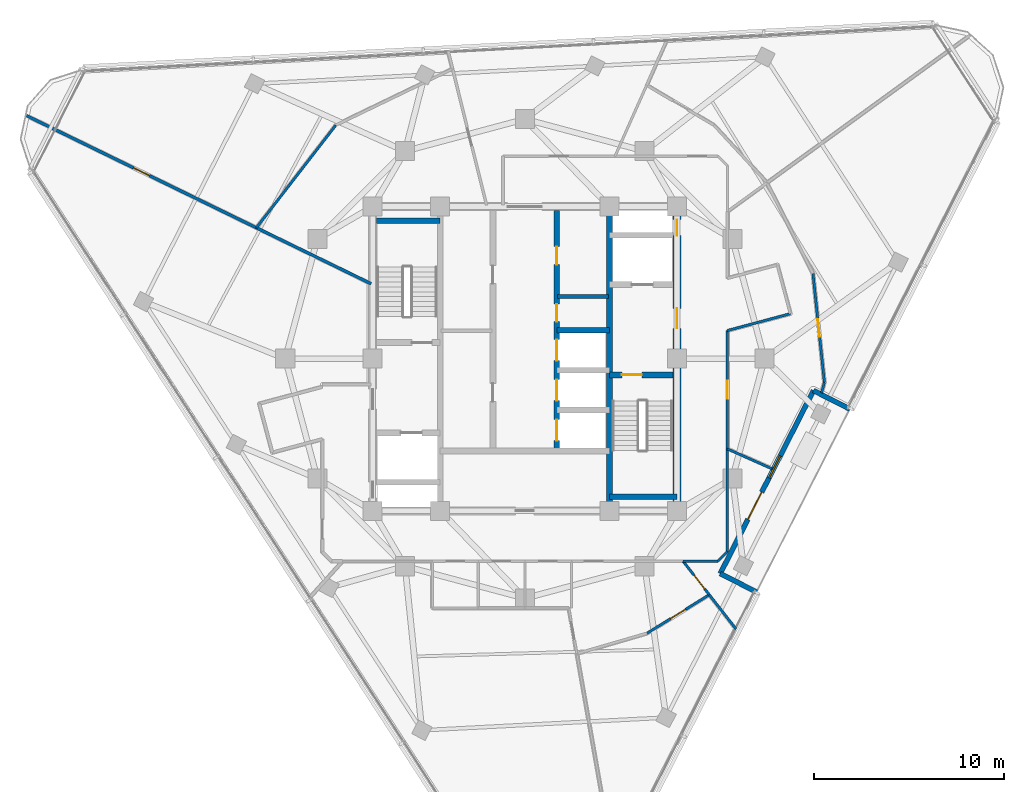
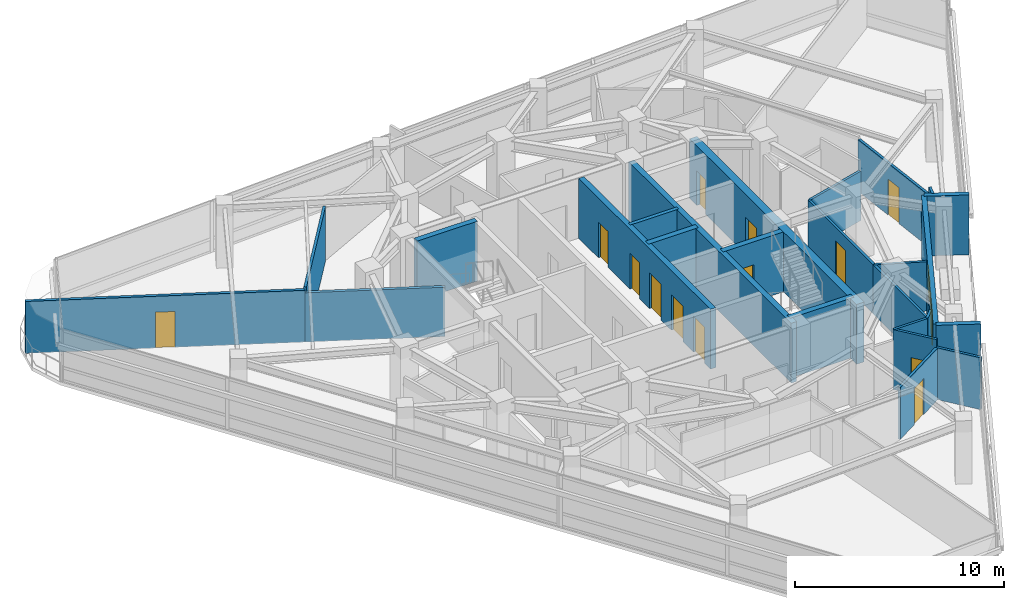
# One storey, part 9 of 15: 25 walls, 14 doors, 1 window, 15 openings.
"""IFC4 building model written with IfcOpenShell, lengths in metres."""

from ifc_helpers import new_model, si_unit, direction, frame, frame_2d, origin, place, context, subcontext, project, spatial, rectangle, extrude, material, layer, layer_set, type_object, element, fill, save


model = new_model("IFC4")

# Units and contexts
model_context = context("Model", 3, precision=1e-05, world=origin(), true_north=direction((0.0, 1.0)))
body_context = subcontext(model_context, "Body", "Model", "MODEL_VIEW")
ifc_project = project(units=[si_unit("LENGTHUNIT", "METRE"), si_unit("AREAUNIT", "SQUARE_METRE"), si_unit("VOLUMEUNIT", "CUBIC_METRE"), si_unit("PLANEANGLEUNIT", "RADIAN"), si_unit("MASSUNIT", "GRAM", prefix="KILO")], contexts=[model_context])

# Site, building, storey
site_placement = place(None, origin())
site = spatial("IfcSite", under=ifc_project, at=site_placement, CompositionType="ELEMENT")
building_placement = place(site_placement, origin())
building = spatial("IfcBuilding", under=site, at=building_placement, Name="Terralouvre Media Tower", CompositionType="ELEMENT")
storey_placement = place(building_placement, frame((0.0, 0.0, 252.199951171875)))
storey = spatial("IfcBuildingStorey", under=building, at=storey_placement, Name="L65", CompositionType="ELEMENT", Elevation=252.199951171875)

# Walls
ifc_material_1 = material(Name="Concrete C50/60", Category="concrete")
ifc_layer_1 = layer(ifc_material_1, 0.300048828125, Name="Core Internal Shaft Wall CW-300")
ifc_layer_set_1 = layer_set([ifc_layer_1], Name="Concrete C50/60")
wall_type_1 = type_object("IfcWallType", Name="Core Internal Shaft Wall CW-300", PredefinedType="SHEAR", material=ifc_layer_set_1)
wall_1_placement = place(storey_placement, frame((4.449951171875, -7.7900390625, 0.0), z_axis=(0.0, 0.0, 1.0), x_axis=(0.0, 1.0, 0.0)))
element("IfcWall", 1, at=wall_1_placement, inside=storey, type_object=wall_type_1, Name="L65 Core Shaft Wall SPE", PredefinedType="SHEAR", context=body_context, shape_type="SweptSolid", body=[
    extrude(rectangle(XDim=15.580078125, YDim=0.300048828125, at=frame_2d((7.7900390625, 0.0))), origin(), (0.0, 0.0, 1.0), 3.5),
])
wall_2_placement = place(storey_placement, frame((-7.7900390625, 7.260009765625, 0.0), z_axis=(0.0, 0.0, 1.0), x_axis=(1.0, 0.0, 0.0)))
element("IfcWall", 2, at=wall_2_placement, inside=storey, type_object=wall_type_1, Name="L65 Core Shaft Wall ST1F", PredefinedType="SHEAR", context=body_context, shape_type="SweptSolid", body=[
    extrude(rectangle(XDim=3.340087890625, YDim=0.300048828125, at=frame_2d((1.669921875, 0.0))), origin(), (0.0, 0.0, 1.0), 3.5),
])

# Wall, opening, door
wall_3_placement = place(storey_placement, frame((4.449951171875, -0.85009765625, 0.0), z_axis=(0.0, 0.0, 1.0), x_axis=(1.0, 0.0, 0.0)))
wall_3 = element("IfcWall", 3, at=wall_3_placement, inside=storey, type_object=wall_type_1, Name="L65 Core Shaft Wall ST2D", PredefinedType="SHEAR", context=body_context, shape_type="SweptSolid", body=[
    extrude(rectangle(XDim=3.340087890625, YDim=0.300048828125, at=frame_2d((1.669921875, 0.0))), origin(), (0.0, 0.0, 1.0), 3.5),
])
opening_1_placement = place(wall_3_placement, frame((0.64990234375, 0.0, 0.0)))
opening_1 = element("IfcOpeningElement", 4, at=opening_1_placement, cuts=wall_3, Name="Opening FD-01-105X215", PredefinedType="OPENING", context=body_context, shape_type="SweptSolid", body=[
    extrude(rectangle(XDim=1.050048828125, YDim=2.14990234375, at=frame_2d((0.52490234375, 1.074951171875))), frame((0.0, 0.159912109375, 0.0), z_axis=(0.0, -1.0, 0.0), x_axis=(1.0, 0.0, 0.0)), (0.0, 0.0, 1.0), 0.320068359375),
])
ifc_material_2 = material(Name="Galvanised steel fire-resisting leaf", Category="steel")
door_type_1 = type_object("IfcDoorType", Name="Stair and Firefighting Lobby Fire Door FD-01 (1050x2150)", OperationType="NOTDEFINED", PredefinedType="DOOR", material=ifc_material_2)
door_1_placement = place(opening_1_placement, origin())
door_1 = element("IfcDoor", 5, at=door_1_placement, inside=storey, type_object=door_type_1, Name="L65 ST-02 Exit Stair Door", OperationType="SINGLE_SWING_RIGHT", OverallHeight=2.14990234375, OverallWidth=1.050048828125, PredefinedType="DOOR", context=body_context, shape_type="SweptSolid", body=[
    extrude(rectangle(XDim=1.050048828125, YDim=2.14990234375, at=frame_2d((0.52490234375, 1.074951171875))), frame((0.0, 0.02490234375, 0.0), z_axis=(0.0, -1.0, 0.0), x_axis=(1.0, 0.0, 0.0)), (0.0, 0.0, 1.0), 0.050048828125),
])
fill(opening_1, door_1)

# Wall
wall_4_placement = place(storey_placement, frame((4.449951171875, -7.260009765625, 0.0), z_axis=(0.0, 0.0, 1.0), x_axis=(1.0, 0.0, 0.0)))
element("IfcWall", 6, at=wall_4_placement, inside=storey, type_object=wall_type_1, Name="L65 Core Shaft Wall ST2F", PredefinedType="SHEAR", context=body_context, shape_type="SweptSolid", body=[
    extrude(rectangle(XDim=3.550048828125, YDim=0.300048828125, at=frame_2d((1.77490234375, 0.0))), origin(), (0.0, 0.0, 1.0), 3.5),
])

# Wall, openings, doors
wall_5_placement = place(storey_placement, frame((1.679931640625, -4.85009765625, 0.0), z_axis=(0.0, 0.0, 1.0), x_axis=(0.0, 1.0, 0.0)))
wall_5 = element("IfcWall", 7, at=wall_5_placement, inside=storey, type_object=wall_type_1, Name="L65 Core Shaft Wall LBE", PredefinedType="SHEAR", context=body_context, shape_type="SweptSolid", body=[
    extrude(rectangle(XDim=12.64013671875, YDim=0.300048828125, at=frame_2d((6.320068359375, 0.0))), origin(), (0.0, 0.0, 1.0), 3.5),
])
opening_2_placement = place(wall_5_placement, frame((0.550048828125, 0.0, 0.0)))
opening_2 = element("IfcOpeningElement", 8, at=opening_2_placement, cuts=wall_5, Name="Opening LD-PL", PredefinedType="OPENING", context=body_context, shape_type="SweptSolid", body=[
    extrude(rectangle(XDim=1.10009765625, YDim=2.10009765625, at=frame_2d((0.550048828125, 1.050048828125))), frame((0.0, 0.159912109375, 0.0), z_axis=(0.0, -1.0, 0.0), x_axis=(1.0, 0.0, 0.0)), (0.0, 0.0, 1.0), 0.320068359375),
])
opening_3_placement = place(wall_5_placement, frame((2.64990234375, 0.0, 0.0)))
opening_3 = element("IfcOpeningElement", 9, at=opening_3_placement, cuts=wall_5, Name="Opening LD-PL", PredefinedType="OPENING", context=body_context, shape_type="SweptSolid", body=[
    extrude(rectangle(XDim=1.10009765625, YDim=2.10009765625, at=frame_2d((0.550048828125, 1.050048828125))), frame((0.0, 0.159912109375, 0.0), z_axis=(0.0, -1.0, 0.0), x_axis=(1.0, 0.0, 0.0)), (0.0, 0.0, 1.0), 0.320068359375),
])
opening_4_placement = place(wall_5_placement, frame((4.75, 0.0, 0.0)))
opening_4 = element("IfcOpeningElement", 10, at=opening_4_placement, cuts=wall_5, Name="Opening LD-PL", PredefinedType="OPENING", context=body_context, shape_type="SweptSolid", body=[
    extrude(rectangle(XDim=1.10009765625, YDim=2.10009765625, at=frame_2d((0.550048828125, 1.050048828125))), frame((0.0, 0.159912109375, 0.0), z_axis=(0.0, -1.0, 0.0), x_axis=(1.0, 0.0, 0.0)), (0.0, 0.0, 1.0), 0.320068359375),
])
opening_5_placement = place(wall_5_placement, frame((6.800048828125, 0.0, 0.0)))
opening_5 = element("IfcOpeningElement", 11, at=opening_5_placement, cuts=wall_5, Name="Opening FD-05-92X210", PredefinedType="OPENING", context=body_context, shape_type="SweptSolid", body=[
    extrude(rectangle(XDim=0.919921875, YDim=2.10009765625, at=frame_2d((0.4599609375, 1.050048828125))), frame((0.0, 0.159912109375, 0.0), z_axis=(0.0, -1.0, 0.0), x_axis=(1.0, 0.0, 0.0)), (0.0, 0.0, 1.0), 0.320068359375),
])
opening_6_placement = place(wall_5_placement, frame((9.800048828125, 0.0, 0.0)))
opening_6 = element("IfcOpeningElement", 12, at=opening_6_placement, cuts=wall_5, Name="Opening FD-02-95X210", PredefinedType="OPENING", context=body_context, shape_type="SweptSolid", body=[
    extrude(rectangle(XDim=0.949951171875, YDim=2.10009765625, at=frame_2d((0.47509765625, 1.050048828125))), frame((0.0, 0.159912109375, 0.0), z_axis=(0.0, -1.0, 0.0), x_axis=(1.0, 0.0, 0.0)), (0.0, 0.0, 1.0), 0.320068359375),
])
ifc_material_3 = material(Name="Galvanised steel fire-resisting leaf", Category="steel")
door_type_2 = type_object("IfcDoorType", Name="Core Accessible Closet Fire Door FD-05 (920x2100)", OperationType="NOTDEFINED", PredefinedType="DOOR", material=ifc_material_3)
door_2_placement = place(opening_5_placement, origin())
door_2 = element("IfcDoor", 13, at=door_2_placement, inside=storey, type_object=door_type_2, Name="L65 Core Safe Store Door", OperationType="SINGLE_SWING_LEFT", OverallHeight=2.10009765625, OverallWidth=0.919921875, PredefinedType="DOOR", context=body_context, shape_type="SweptSolid", body=[
    extrude(rectangle(XDim=0.919921875, YDim=2.10009765625, at=frame_2d((0.4599609375, 1.050048828125))), frame((0.0, 0.02490234375, 0.0), z_axis=(0.0, -1.0, 0.0), x_axis=(1.0, 0.0, 0.0)), (0.0, 0.0, 1.0), 0.050048828125),
])
fill(opening_5, door_2)
ifc_material_4 = material(Name="Stainless steel 316 handrail and balustrade", Category="steel")
door_type_3 = type_object("IfcDoorType", Name="Passenger Lift Sliding Landing Door LD-PL", OperationType="SLIDING_TO_LEFT", PredefinedType="DOOR", material=ifc_material_4)
door_3_placement = place(opening_2_placement, origin())
door_3 = element("IfcDoor", 14, at=door_3_placement, inside=storey, type_object=door_type_3, Name="L65 High-Rise Lift PL-H1 Landing Door", OperationType="SLIDING_TO_LEFT", OverallHeight=2.10009765625, OverallWidth=1.10009765625, PredefinedType="DOOR", context=body_context, shape_type="SweptSolid", body=[
    extrude(rectangle(XDim=1.10009765625, YDim=2.10009765625, at=frame_2d((0.550048828125, 1.050048828125))), frame((0.0, 0.02490234375, 0.0), z_axis=(0.0, -1.0, 0.0), x_axis=(1.0, 0.0, 0.0)), (0.0, 0.0, 1.0), 0.050048828125),
])
fill(opening_2, door_3)
door_4_placement = place(opening_3_placement, origin())
door_4 = element("IfcDoor", 15, at=door_4_placement, inside=storey, type_object=door_type_3, Name="L65 High-Rise Lift PL-H2 Landing Door", OperationType="SLIDING_TO_LEFT", OverallHeight=2.10009765625, OverallWidth=1.10009765625, PredefinedType="DOOR", context=body_context, shape_type="SweptSolid", body=[
    extrude(rectangle(XDim=1.10009765625, YDim=2.10009765625, at=frame_2d((0.550048828125, 1.050048828125))), frame((0.0, 0.02490234375, 0.0), z_axis=(0.0, -1.0, 0.0), x_axis=(1.0, 0.0, 0.0)), (0.0, 0.0, 1.0), 0.050048828125),
])
fill(opening_3, door_4)
door_5_placement = place(opening_4_placement, origin())
door_5 = element("IfcDoor", 16, at=door_5_placement, inside=storey, type_object=door_type_3, Name="L65 High-Rise Lift PL-H3 Landing Door", OperationType="SLIDING_TO_LEFT", OverallHeight=2.10009765625, OverallWidth=1.10009765625, PredefinedType="DOOR", context=body_context, shape_type="SweptSolid", body=[
    extrude(rectangle(XDim=1.10009765625, YDim=2.10009765625, at=frame_2d((0.550048828125, 1.050048828125))), frame((0.0, 0.02490234375, 0.0), z_axis=(0.0, -1.0, 0.0), x_axis=(1.0, 0.0, 0.0)), (0.0, 0.0, 1.0), 0.050048828125),
])
fill(opening_4, door_5)
ifc_material_5 = material(Name="Galvanised steel fire-resisting leaf", Category="steel")
door_type_4 = type_object("IfcDoorType", Name="Plant and Riser Fire Door FD-02 (950x2100)", OperationType="NOTDEFINED", PredefinedType="DOOR", material=ifc_material_5)
door_6_placement = place(opening_6_placement, origin())
door_6 = element("IfcDoor", 17, at=door_6_placement, inside=storey, type_object=door_type_4, Name="L65 Core IT Patch Plant Door", OperationType="SINGLE_SWING_RIGHT", OverallHeight=2.10009765625, OverallWidth=0.949951171875, PredefinedType="DOOR", context=body_context, shape_type="SweptSolid", body=[
    extrude(rectangle(XDim=0.949951171875, YDim=2.10009765625, at=frame_2d((0.47509765625, 1.050048828125))), frame((0.0, 0.02490234375, 0.0), z_axis=(0.0, -1.0, 0.0), x_axis=(1.0, 0.0, 0.0)), (0.0, 0.0, 1.0), 0.050048828125),
])
fill(opening_6, door_6)

# Wall
wall_6_placement = place(storey_placement, frame((1.679931640625, 1.5, 0.0), z_axis=(0.0, 0.0, 1.0), x_axis=(1.0, 0.0, 0.0)))
element("IfcWall", 18, at=wall_6_placement, inside=storey, type_object=wall_type_1, Name="L65 Core Shaft Wall PLMBOT", PredefinedType="SHEAR", context=body_context, shape_type="SweptSolid", body=[
    extrude(rectangle(XDim=2.77001953125, YDim=0.300048828125, at=frame_2d((1.385009765625, 0.0))), origin(), (0.0, 0.0, 1.0), 3.5),
])

# Wall, openings, doors
ifc_material_6 = material(Name="Concrete C60/75", Category="concrete")
ifc_layer_2 = layer(ifc_material_6, 0.419921875, Name="Core Reinforced Concrete Shear Wall CW-420")
ifc_layer_set_2 = layer_set([ifc_layer_2], Name="Concrete C60/75")
wall_type_2 = type_object("IfcWallType", Name="Core Reinforced Concrete Shear Wall CW-420", PredefinedType="SHEAR", material=ifc_layer_set_2)
wall_7_placement = place(storey_placement, frame((8.0, -8.0, 0.0), z_axis=(0.0, 0.0, 1.0), x_axis=(0.0, 1.0, 0.0)))
wall_7 = element("IfcWall", 19, at=wall_7_placement, inside=storey, type_object=wall_type_2, Name="L65 E Core Shear Wall", PredefinedType="SHEAR", context=body_context, shape_type="SweptSolid", body=[
    extrude(rectangle(XDim=16.0, YDim=0.419921875, at=frame_2d((8.0, 0.0))), origin(), (0.0, 0.0, 1.0), 3.5),
])
opening_7_placement = place(wall_7_placement, frame((9.60009765625, 0.0, 0.0)))
opening_7 = element("IfcOpeningElement", 20, at=opening_7_placement, cuts=wall_7, Name="Opening FD-01-105X215", PredefinedType="OPENING", context=body_context, shape_type="SweptSolid", body=[
    extrude(rectangle(XDim=1.050048828125, YDim=2.14990234375, at=frame_2d((0.52490234375, 1.074951171875))), frame((0.0, 0.219970703125, 0.0), z_axis=(0.0, -1.0, 0.0), x_axis=(1.0, 0.0, 0.0)), (0.0, 0.0, 1.0), 0.43994140625),
])
opening_8_placement = place(wall_7_placement, frame((14.468994140625, 0.0, 0.0)))
opening_8 = element("IfcOpeningElement", 21, at=opening_8_placement, cuts=wall_7, Name="Opening TD-R1", PredefinedType="OPENING", context=body_context, shape_type="SweptSolid", body=[
    extrude(rectangle(XDim=0.85009765625, YDim=2.02001953125, at=frame_2d((0.425048828125, 1.010009765625))), frame((0.0, 0.219970703125, 0.0), z_axis=(0.0, -1.0, 0.0), x_axis=(1.0, 0.0, 0.0)), (0.0, 0.0, 1.0), 0.43994140625),
])
ifc_material_7 = material(Name="Galvanised steel fire-resisting leaf", Category="steel")
door_type_5 = type_object("IfcDoorType", Name="Riser Inspection Access Trapdoor TD-R1", OperationType="NOTDEFINED", PredefinedType="TRAPDOOR", material=ifc_material_7)
door_7_placement = place(opening_8_placement, origin())
door_7 = element("IfcDoor", 22, at=door_7_placement, inside=storey, type_object=door_type_5, Name="L65 East Comms Riser Access Trapdoor", OperationType="SINGLE_SWING_RIGHT", OverallHeight=2.02001953125, OverallWidth=0.85009765625, PredefinedType="TRAPDOOR", context=body_context, shape_type="SweptSolid", body=[
    extrude(rectangle(XDim=0.85009765625, YDim=2.02001953125, at=frame_2d((0.425048828125, 1.010009765625))), frame((0.0, 0.02490234375, 0.0), z_axis=(0.0, -1.0, 0.0), x_axis=(1.0, 0.0, 0.0)), (0.0, 0.0, 1.0), 0.050048828125),
])
fill(opening_8, door_7)
door_8_placement = place(opening_7_placement, origin())
door_8 = element("IfcDoor", 23, at=door_8_placement, inside=storey, type_object=door_type_1, Name="L65 East Firefighting Lobby Entry Door", OperationType="SINGLE_SWING_LEFT", OverallHeight=2.14990234375, OverallWidth=1.050048828125, PredefinedType="DOOR", context=body_context, shape_type="SweptSolid", body=[
    extrude(rectangle(XDim=1.050048828125, YDim=2.14990234375, at=frame_2d((0.52490234375, 1.074951171875))), frame((0.0, 0.02490234375, 0.0), z_axis=(0.0, -1.0, 0.0), x_axis=(1.0, 0.0, 0.0)), (0.0, 0.0, 1.0), 0.050048828125),
])
fill(opening_7, door_8)

# Wall
ifc_material_8 = material(Name="Fire-rated gypsum board drywall partition")
ifc_layer_3 = layer(ifc_material_8, 0.199951171875, Name="Fire-Rated Shaft and Lobby Partition FW-200")
ifc_layer_set_3 = layer_set([ifc_layer_3], Name="Fire-rated gypsum board drywall partition")
wall_type_3 = type_object("IfcWallType", Name="Fire-Rated Shaft and Lobby Partition FW-200", PredefinedType="SOLIDWALL", material=ifc_layer_set_3)
wall_8_placement = place(storey_placement, frame((1.719970703125, 3.27001953125, 0.0), z_axis=(0.0, 0.0, 1.0), x_axis=(1.0, 0.0, 0.0)))
element("IfcWall", 24, at=wall_8_placement, inside=storey, type_object=wall_type_3, Name="L65 Core East Sub-Partition 1", PredefinedType="SOLIDWALL", context=body_context, shape_type="SweptSolid", body=[
    extrude(rectangle(XDim=2.679931640625, YDim=0.199951171875, at=frame_2d((1.33984375, 0.0))), origin(), (0.0, 0.0, 1.0), 3.5),
])

# Wall, opening, door
ifc_material_9 = material(Name="Fire-rated gypsum board drywall partition")
ifc_layer_4 = layer(ifc_material_9, 0.135009765625, Name="Newsroom Acoustic Partition PT-135")
ifc_layer_set_4 = layer_set([ifc_layer_4], Name="Fire-rated gypsum board drywall partition")
wall_type_4 = type_object("IfcWallType", Name="Newsroom Acoustic Partition PT-135", PredefinedType="PARTITIONING", material=ifc_layer_set_4)
wall_9_placement = place(storey_placement, frame((10.64990234375, -4.741943359375, 0.0), z_axis=(0.0, 0.0, 1.0), x_axis=(0.0, 1.0, 0.0)))
wall_9 = element("IfcWall", 25, at=wall_9_placement, inside=storey, type_object=wall_type_4, Name="L65 Interior Partition 008", PredefinedType="PARTITIONING", context=body_context, shape_type="SweptSolid", body=[
    extrude(rectangle(XDim=6.223876953125, YDim=0.135009765625, at=frame_2d((3.11181640625, 0.0))), origin(), (0.0, 0.0, 1.0), 2.885009765625),
])
opening_9_placement = place(wall_9_placement, frame((2.636962890625, 0.0, 0.0)))
opening_9 = element("IfcOpeningElement", 26, at=opening_9_placement, cuts=wall_9, Name="Opening ID-02-95X210", PredefinedType="OPENING", context=body_context, shape_type="SweptSolid", body=[
    extrude(rectangle(XDim=0.949951171875, YDim=2.10009765625, at=frame_2d((0.47509765625, 1.050048828125))), frame((0.0, 0.077392578125, 0.0), z_axis=(0.0, -1.0, 0.0), x_axis=(1.0, 0.0, 0.0)), (0.0, 0.0, 1.0), 0.155029296875),
])
ifc_material_10 = material(Name="Engineered hardwood acoustic timber leaf", Category="wood")
door_type_6 = type_object("IfcDoorType", Name="Office and Meeting Room Door ID-02 (950x2100)", OperationType="NOTDEFINED", PredefinedType="DOOR", material=ifc_material_10)
door_9_placement = place(opening_9_placement, origin())
door_9 = element("IfcDoor", 27, at=door_9_placement, inside=storey, type_object=door_type_6, Name="L65 Classical and Jazz Listening Library 2 Door", OperationType="SINGLE_SWING_LEFT", OverallHeight=2.10009765625, OverallWidth=0.949951171875, PredefinedType="DOOR", context=body_context, shape_type="SweptSolid", body=[
    extrude(rectangle(XDim=0.949951171875, YDim=2.10009765625, at=frame_2d((0.47509765625, 1.050048828125))), frame((0.0, 0.02490234375, 0.0), z_axis=(0.0, -1.0, 0.0), x_axis=(1.0, 0.0, 0.0)), (0.0, 0.0, 1.0), 0.050048828125),
])
fill(opening_9, door_9)

# Walls
wall_10_placement = place(storey_placement, frame((10.64990234375, 1.48193359375, 0.0), z_axis=(0.0, 0.0, 1.0), x_axis=(0.965961397105, 0.2586862565, 0.0)))
element("IfcWall", 28, at=wall_10_placement, inside=storey, type_object=wall_type_4, Name="L65 Interior Partition 009", PredefinedType="PARTITIONING", context=body_context, shape_type="SweptSolid", body=[
    extrude(rectangle(XDim=3.4287109375, YDim=0.135009765625, at=frame_2d((1.71435546875, 0.0))), origin(), (0.0, 0.0, 1.0), 2.885009765625),
])
wall_11_placement = place(storey_placement, frame((8.321044921875, -10.64990234375, 0.0), z_axis=(0.0, 0.0, 1.0), x_axis=(1.0, 0.0, 0.0)))
element("IfcWall", 29, at=wall_11_placement, inside=storey, type_object=wall_type_4, Name="L65 Interior Partition 018", PredefinedType="PARTITIONING", context=body_context, shape_type="SweptSolid", body=[
    extrude(rectangle(XDim=1.828857421875, YDim=0.135009765625, at=frame_2d((0.91455078125, 0.0))), origin(), (0.0, 0.0, 1.0), 3.5),
])
wall_12_placement = place(storey_placement, frame((10.14990234375, -10.64990234375, 0.0), z_axis=(0.0, 0.0, 1.0), x_axis=(0.707106781187, 0.707106781187, 0.0)))
element("IfcWall", 30, at=wall_12_placement, inside=storey, type_object=wall_type_4, Name="L65 Interior Partition 019", PredefinedType="PARTITIONING", context=body_context, shape_type="SweptSolid", body=[
    extrude(rectangle(XDim=0.70703125, YDim=0.135009765625, at=frame_2d((0.353515625, 0.0))), origin(), (0.0, 0.0, 1.0), 3.5),
])
wall_13_placement = place(storey_placement, frame((10.64990234375, -10.14990234375, 0.0), z_axis=(0.0, 0.0, 1.0), x_axis=(0.0, 1.0, 0.0)))
element("IfcWall", 31, at=wall_13_placement, inside=storey, type_object=wall_type_4, Name="L65 Interior Partition 020", PredefinedType="PARTITIONING", context=body_context, shape_type="SweptSolid", body=[
    extrude(rectangle(XDim=5.407958984375, YDim=0.135009765625, at=frame_2d((2.7041015625, 0.0))), origin(), (0.0, 0.0, 1.0), 2.885009765625),
])
wall_14_placement = place(storey_placement, frame((10.64990234375, -4.741943359375, 0.0), z_axis=(0.0, 0.0, 1.0), x_axis=(0.913666216357, -0.406465306131, 0.0)))
element("IfcWall", 32, at=wall_14_placement, inside=storey, type_object=wall_type_4, Name="L65 Interior Partition 029", PredefinedType="PARTITIONING", context=body_context, shape_type="SweptSolid", body=[
    extrude(rectangle(XDim=2.564208984375, YDim=0.135009765625, at=frame_2d((1.2822265625, 0.0))), origin(), (0.0, 0.0, 1.0), 2.885009765625),
])
wall_15_placement = place(storey_placement, frame((15.601318359375, -1.798828125, 0.0), z_axis=(0.0, 0.0, 1.0), x_axis=(0.258686866039, 0.96596123387, 0.0)))
element("IfcWall", 33, at=wall_15_placement, inside=storey, type_object=wall_type_4, Name="L65 Interior Partition 030", PredefinedType="PARTITIONING", context=body_context, shape_type="SweptSolid", body=[
    extrude(rectangle(XDim=0.57861328125, YDim=0.135009765625, at=frame_2d((0.289306640625, 0.0))), origin(), (0.0, 0.0, 1.0), 3.5),
])

# Wall, opening, door
wall_16_placement = place(storey_placement, frame((15.7509765625, -1.239990234375, 0.0), z_axis=(0.0, 0.0, 1.0), x_axis=(-0.104547955553, 0.994519846453, 0.0)))
wall_16 = element("IfcWall", 34, at=wall_16_placement, inside=storey, type_object=wall_type_4, Name="L65 Interior Partition 031", PredefinedType="PARTITIONING", context=body_context, shape_type="SweptSolid", body=[
    extrude(rectangle(XDim=5.758544921875, YDim=0.135009765625, at=frame_2d((2.87939453125, 0.0))), origin(), (0.0, 0.0, 1.0), 3.03515625),
])
opening_10_placement = place(wall_16_placement, frame((2.419189453125, 0.0, 0.0)))
opening_10 = element("IfcOpeningElement", 35, at=opening_10_placement, cuts=wall_16, Name="Opening ID-03-92X210", PredefinedType="OPENING", context=body_context, shape_type="SweptSolid", body=[
    extrude(rectangle(XDim=0.919921875, YDim=2.10009765625, at=frame_2d((0.4599609375, 1.050048828125))), frame((0.0, 0.077392578125, 0.0), z_axis=(0.0, -1.0, 0.0), x_axis=(1.0, 0.0, 0.0)), (0.0, 0.0, 1.0), 0.155029296875),
])
ifc_material_11 = material(Name="Engineered hardwood acoustic timber leaf", Category="wood")
door_type_7 = type_object("IfcDoorType", Name="Accessible Restroom and Suite Door ID-03 (920x2100)", OperationType="NOTDEFINED", PredefinedType="DOOR", material=ifc_material_11)
door_10_placement = place(opening_10_placement, origin())
door_10 = element("IfcDoor", 36, at=door_10_placement, inside=storey, type_object=door_type_7, Name="L65 Chamber Rehearsal Creative Workshop 7 Door", OperationType="SINGLE_SWING_LEFT", OverallHeight=2.10009765625, OverallWidth=0.919921875, PredefinedType="DOOR", context=body_context, shape_type="SweptSolid", body=[
    extrude(rectangle(XDim=0.919921875, YDim=2.10009765625, at=frame_2d((0.4599609375, 1.050048828125))), frame((0.0, 0.02490234375, 0.0), z_axis=(0.0, -1.0, 0.0), x_axis=(1.0, 0.0, 0.0)), (0.0, 0.0, 1.0), 0.050048828125),
])
fill(opening_10, door_10)

wall_17_placement = place(storey_placement, frame((9.696044921875, -12.410888671875, 0.0), z_axis=(0.0, 0.0, 1.0), x_axis=(-0.850393663863, -0.526146953295, 0.0)))
wall_17 = element("IfcWall", 37, at=wall_17_placement, inside=storey, type_object=wall_type_4, Name="L65 Interior Partition 043", PredefinedType="PARTITIONING", context=body_context, shape_type="SweptSolid", body=[
    extrude(rectangle(XDim=3.84521484375, YDim=0.135009765625, at=frame_2d((1.922607421875, 0.0))), origin(), (0.0, 0.0, 1.0), 3.03515625),
])
opening_11_placement = place(wall_17_placement, frame((1.462646484375, 0.0, 0.0)))
opening_11 = element("IfcOpeningElement", 38, at=opening_11_placement, cuts=wall_17, Name="Opening ID-03-92X210", PredefinedType="OPENING", context=body_context, shape_type="SweptSolid", body=[
    extrude(rectangle(XDim=0.919921875, YDim=2.10009765625, at=frame_2d((0.4599609375, 1.050048828125))), frame((0.0, 0.077392578125, 0.0), z_axis=(0.0, -1.0, 0.0), x_axis=(1.0, 0.0, 0.0)), (0.0, 0.0, 1.0), 0.155029296875),
])
door_11_placement = place(opening_11_placement, origin())
door_11 = element("IfcDoor", 39, at=door_11_placement, inside=storey, type_object=door_type_7, Name="L65 Cultural Quarterly Editorial Office 4 Door", OperationType="SINGLE_SWING_LEFT", OverallHeight=2.10009765625, OverallWidth=0.919921875, PredefinedType="DOOR", context=body_context, shape_type="SweptSolid", body=[
    extrude(rectangle(XDim=0.919921875, YDim=2.10009765625, at=frame_2d((0.4599609375, 1.050048828125))), frame((0.0, 0.02490234375, 0.0), z_axis=(0.0, -1.0, 0.0), x_axis=(1.0, 0.0, 0.0)), (0.0, 0.0, 1.0), 0.050048828125),
])
fill(opening_11, door_11)

# Wall
wall_18_placement = place(storey_placement, frame((11.1083984375, -14.21826171875, 0.0), z_axis=(0.0, 0.0, 1.0), x_axis=(-0.615736984334, 0.787951753677, 0.0)))
element("IfcWall", 40, at=wall_18_placement, inside=storey, type_object=wall_type_4, Name="L65 Interior Partition 045", PredefinedType="PARTITIONING", context=body_context, shape_type="SweptSolid", body=[
    extrude(rectangle(XDim=2.293701171875, YDim=0.135009765625, at=frame_2d((1.14697265625, 0.0))), origin(), (0.0, 0.0, 1.0), 3.03515625),
])

# Wall, opening, door
wall_19_placement = place(storey_placement, frame((9.696044921875, -12.410888671875, 0.0), z_axis=(0.0, 0.0, 1.0), x_axis=(-0.615429845305, 0.788191668002, 0.0)))
wall_19 = element("IfcWall", 41, at=wall_19_placement, inside=storey, type_object=wall_type_4, Name="L65 Interior Partition 046", PredefinedType="PARTITIONING", context=body_context, shape_type="SweptSolid", body=[
    extrude(rectangle(XDim=2.234130859375, YDim=0.135009765625, at=frame_2d((1.1171875, 0.0))), origin(), (0.0, 0.0, 1.0), 3.5),
])
opening_12_placement = place(wall_19_placement, frame((0.388916015625, 0.0, 0.0)))
opening_12 = element("IfcOpeningElement", 42, at=opening_12_placement, cuts=wall_19, Name="Opening ID-03-92X210", PredefinedType="OPENING", context=body_context, shape_type="SweptSolid", body=[
    extrude(rectangle(XDim=0.919921875, YDim=2.10009765625, at=frame_2d((0.4599609375, 1.050048828125))), frame((0.0, 0.077392578125, 0.0), z_axis=(0.0, -1.0, 0.0), x_axis=(1.0, 0.0, 0.0)), (0.0, 0.0, 1.0), 0.155029296875),
])
door_12_placement = place(opening_12_placement, origin())
door_12 = element("IfcDoor", 43, at=door_12_placement, inside=storey, type_object=door_type_7, Name="L65 Literary Salon Lounge 6 Door", OperationType="SINGLE_SWING_RIGHT", OverallHeight=2.10009765625, OverallWidth=0.919921875, PredefinedType="DOOR", context=body_context, shape_type="SweptSolid", body=[
    extrude(rectangle(XDim=0.919921875, YDim=2.10009765625, at=frame_2d((0.4599609375, 1.050048828125))), frame((0.0, 0.02490234375, 0.0), z_axis=(0.0, -1.0, 0.0), x_axis=(1.0, 0.0, 0.0)), (0.0, 0.0, 1.0), 0.050048828125),
])
fill(opening_12, door_12)

# Wall
wall_20_placement = place(storey_placement, frame((-9.943115234375, 12.279052734375, 0.0), z_axis=(0.0, 0.0, 1.0), x_axis=(-0.612219395693, -0.790687935621, 0.0)))
element("IfcWall", 44, at=wall_20_placement, inside=storey, type_object=wall_type_4, Name="L65 Interior Partition 055", PredefinedType="PARTITIONING", context=body_context, shape_type="SweptSolid", body=[
    extrude(rectangle(XDim=6.82080078125, YDim=0.135009765625, at=frame_2d((3.410400390625, 0.0))), origin(), (0.0, 0.0, 1.0), 3.18505859375),
])

# Wall, openings, window, door
ifc_material_12 = material(Name="Kiln-fired architectural terracotta rainscreen cladding", Category="masonry")
ifc_layer_5 = layer(ifc_material_12, 0.260009765625, Name="Recessed Sky-Garden Acoustic Wall EW-SG260")
ifc_layer_set_5 = layer_set([ifc_layer_5], Name="Kiln-fired architectural terracotta rainscreen cladding")
wall_type_5 = type_object("IfcWallType", Name="Recessed Sky-Garden Acoustic Wall EW-SG260", PredefinedType="SOLIDWALL", material=ifc_layer_set_5)
wall_21_placement = place(storey_placement, frame((10.2744140625, -11.295654296875, 0.0), z_axis=(0.0, 0.0, 1.0), x_axis=(0.453991476178, 0.891006026667, 0.0)))
wall_21 = element("IfcWall", 45, at=wall_21_placement, inside=storey, type_object=wall_type_5, Name="L65 SG Recessed Loggia Back Wall", PredefinedType="SOLIDWALL", context=body_context, shape_type="SweptSolid", body=[
    extrude(rectangle(XDim=10.800048828125, YDim=0.260009765625, at=frame_2d((5.39990234375, 0.0))), origin(), (0.0, 0.0, 1.0), 3.5),
])
opening_13_placement = place(wall_21_placement, frame((3.199951171875, 0.0, 0.0)))
opening_13 = element("IfcOpeningElement", 46, at=opening_13_placement, cuts=wall_21, Name="Opening TD-01", PredefinedType="OPENING", context=body_context, shape_type="SweptSolid", body=[
    extrude(rectangle(XDim=1.60009765625, YDim=2.080078125, at=frame_2d((0.800048828125, 1.0400390625))), frame((0.0, 0.139892578125, 0.0), z_axis=(0.0, -1.0, 0.0), x_axis=(1.0, 0.0, 0.0)), (0.0, 0.0, 1.0), 0.280029296875),
])
opening_14_placement = place(wall_21_placement, frame((5.64990234375, 0.0, 0.85009765625)))
opening_14 = element("IfcOpeningElement", 47, at=opening_14_placement, cuts=wall_21, Name="Opening W-03", PredefinedType="OPENING", context=body_context, shape_type="SweptSolid", body=[
    extrude(rectangle(XDim=1.300048828125, YDim=1.25, at=frame_2d((0.64990234375, 0.625))), frame((0.0, 0.139892578125, 0.0), z_axis=(0.0, -1.0, 0.0), x_axis=(1.0, 0.0, 0.0)), (0.0, 0.0, 1.0), 0.280029296875),
])
ifc_material_13 = material(Name="Low-iron laminated double glazing with solar-control coating", Category="glass")
window_type = type_object("IfcWindowType", Name="Sky-Garden Loggia Window W-03", PartitioningType="SINGLE_PANEL", PredefinedType="WINDOW", material=ifc_material_13)
window_placement = place(opening_14_placement, origin())
window = element("IfcWindow", 48, at=window_placement, inside=storey, type_object=window_type, Name="L65 Pocket Loggia Window 1", OverallHeight=1.25, OverallWidth=1.300048828125, PartitioningType="SINGLE_PANEL", PredefinedType="WINDOW", context=body_context, shape_type="SweptSolid", body=[
    extrude(rectangle(XDim=1.300048828125, YDim=1.25, at=frame_2d((0.64990234375, 0.625))), frame((0.0, 0.030029296875, 0.0), z_axis=(0.0, -1.0, 0.0), x_axis=(1.0, 0.0, 0.0)), (0.0, 0.0, 1.0), 0.06005859375),
])
fill(opening_14, window)
ifc_material_14 = material(Name="Anodised extruded aluminium 6063-T6", Category="aluminium")
door_type_8 = type_object("IfcDoorType", Name="Sky-Garden Terrace Double Door TD-01", OperationType="DOUBLE_DOOR_SLIDING", PredefinedType="DOOR", material=ifc_material_14)
door_13_placement = place(opening_13_placement, frame((1.60009765625, 0.0, 0.0), z_axis=(0.0, 0.0, 1.0), x_axis=(-1.0, 0.0, 0.0)))
door_13 = element("IfcDoor", 49, at=door_13_placement, inside=storey, type_object=door_type_8, Name="L65 Sky-Garden Terrace Door", OperationType="DOUBLE_DOOR_SLIDING", OverallHeight=2.080078125, OverallWidth=1.60009765625, PredefinedType="DOOR", context=body_context, shape_type="SweptSolid", body=[
    extrude(rectangle(XDim=1.60009765625, YDim=2.080078125, at=frame_2d((0.800048828125, 1.0400390625))), frame((0.0, 0.02490234375, 0.0), z_axis=(0.0, -1.0, 0.0), x_axis=(1.0, 0.0, 0.0)), (0.0, 0.0, 1.0), 0.050048828125),
])
fill(opening_13, door_13)

# Walls
for number, where, z_axis, x_axis, name in (
    (50, (12.18994140625, -12.271728515625, 0.0), (0.0, 0.0, 1.0), (-0.890994427822, 0.454014239413, 0.0), "L65 SG Pocket Left Cheek Wall"),
    (51, (15.177490234375, -1.6728515625, 0.0), (0.0, 0.0, 1.0), (0.890994427822, -0.454014239413, 0.0), "L65 SG Pocket Right Cheek Wall"),
):
    element("IfcWall", number, at=place(storey_placement, frame(where, z_axis=z_axis, x_axis=x_axis)), inside=storey, type_object=wall_type_5, Name=name, PredefinedType="SOLIDWALL", context=body_context, shape_type="SweptSolid", body=[
        extrude(rectangle(XDim=2.14990234375, YDim=0.260009765625, at=frame_2d((1.074951171875, 0.0))), origin(), (0.0, 0.0, 1.0), 3.5),
    ])
ifc_material_15 = material(Name="Fire-rated gypsum board drywall partition")
ifc_layer_6 = layer(ifc_material_15, 0.159912109375, Name="Studio Acoustic Rated Partition PT-160")
ifc_layer_set_6 = layer_set([ifc_layer_6], Name="Fire-rated gypsum board drywall partition")
wall_type_6 = type_object("IfcWallType", Name="Studio Acoustic Rated Partition PT-160", PredefinedType="PARTITIONING", material=ifc_layer_set_6)
wall_22_placement = place(storey_placement, frame((-8.080078125, 3.940673828125, 0.0), z_axis=(0.0, 0.0, 1.0), x_axis=(-0.898794985177, 0.438369221798, 0.0)))
element("IfcWall", 52, at=wall_22_placement, inside=storey, type_object=wall_type_6, Name="L65 Interior Partition 027", PredefinedType="PARTITIONING", context=body_context, shape_type="SweptSolid", body=[
    extrude(rectangle(XDim=6.71875, YDim=0.159912109375, at=frame_2d((3.359375, 0.0))), origin(), (0.0, 0.0, 1.0), 2.885009765625),
])

# Wall, opening, door
wall_23_placement = place(storey_placement, frame((-14.118896484375, 6.885986328125, 0.0), z_axis=(0.0, 0.0, 1.0), x_axis=(-0.898768620199, 0.438423274184, 0.0)))
wall_23 = element("IfcWall", 53, at=wall_23_placement, inside=storey, type_object=wall_type_6, Name="L65 Interior Partition 028", PredefinedType="PARTITIONING", context=body_context, shape_type="SweptSolid", body=[
    extrude(rectangle(XDim=13.442138671875, YDim=0.159912109375, at=frame_2d((6.72119140625, 0.0))), origin(), (0.0, 0.0, 1.0), 3.03515625),
])
opening_15_placement = place(wall_23_placement, frame((6.260986328125, 0.0, 0.0)))
opening_15 = element("IfcOpeningElement", 54, at=opening_15_placement, cuts=wall_23, Name="Opening ID-03-92X210", PredefinedType="OPENING", context=body_context, shape_type="SweptSolid", body=[
    extrude(rectangle(XDim=0.919921875, YDim=2.10009765625, at=frame_2d((0.4599609375, 1.050048828125))), frame((0.0, 0.08984375, 0.0), z_axis=(0.0, -1.0, 0.0), x_axis=(1.0, 0.0, 0.0)), (0.0, 0.0, 1.0), 0.179931640625),
])
door_14_placement = place(opening_15_placement, origin())
door_14 = element("IfcDoor", 55, at=door_14_placement, inside=storey, type_object=door_type_7, Name="L65 Arts Guest Reception 12 Door", OperationType="SINGLE_SWING_RIGHT", OverallHeight=2.10009765625, OverallWidth=0.919921875, PredefinedType="DOOR", context=body_context, shape_type="SweptSolid", body=[
    extrude(rectangle(XDim=0.919921875, YDim=2.10009765625, at=frame_2d((0.4599609375, 1.050048828125))), frame((0.0, 0.02490234375, 0.0), z_axis=(0.0, -1.0, 0.0), x_axis=(1.0, 0.0, 0.0)), (0.0, 0.0, 1.0), 0.050048828125),
])
fill(opening_15, door_14)

save(model, "model.ifc")
